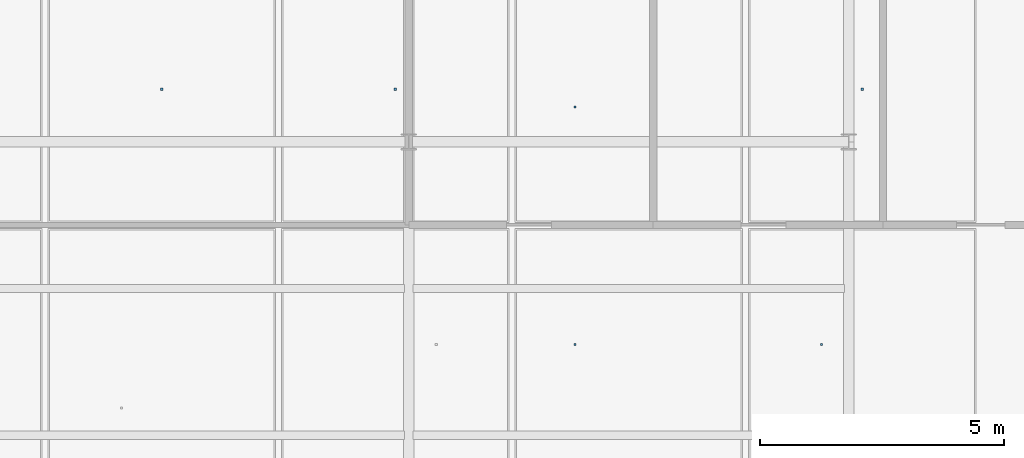
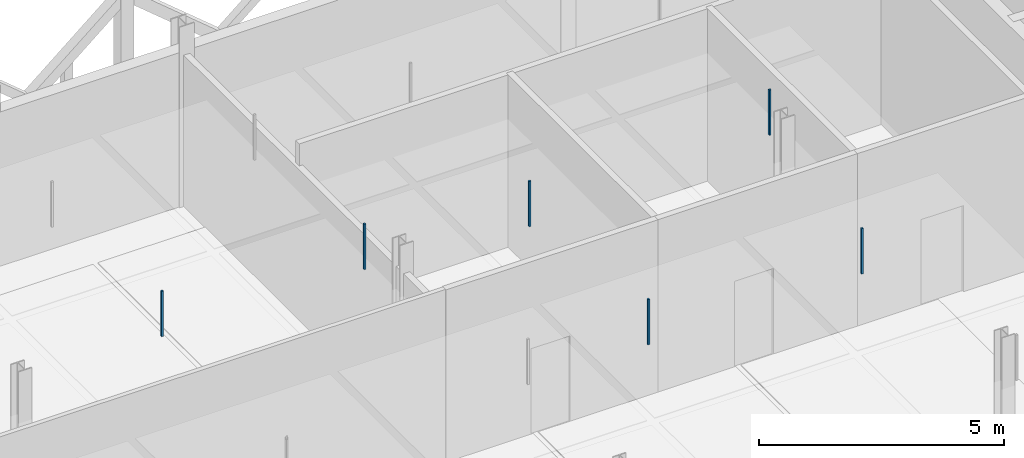
# One storey, part 54 of 66: 6 discrete accessories.
"""IFC4 building model written with IfcOpenShell, lengths in metres."""

from ifc_helpers import new_model, si_unit, direction, frame, origin, origin_2d, place, context, subcontext, project, spatial, rectangle, extrude, material, type_object, element, save


model = new_model("IFC4")

# Units and contexts
model_context = context("Model", 3, precision=1e-05, world=origin(), true_north=direction((0.0, 1.0)))
body_context = subcontext(model_context, "Body", "Model", "MODEL_VIEW")
ifc_project = project(units=[si_unit("LENGTHUNIT", "METRE"), si_unit("AREAUNIT", "SQUARE_METRE"), si_unit("VOLUMEUNIT", "CUBIC_METRE"), si_unit("PLANEANGLEUNIT", "RADIAN"), si_unit("MASSUNIT", "GRAM", prefix="KILO"), si_unit("THERMODYNAMICTEMPERATUREUNIT", "KELVIN"), si_unit("POWERUNIT", "WATT")], contexts=[model_context])

# Site, building, storey
site_placement = place(None, origin())
site = spatial("IfcSite", under=ifc_project, at=site_placement, CompositionType="ELEMENT")
building_placement = place(site_placement, origin())
building = spatial("IfcBuilding", under=site, at=building_placement, Name="Tallowbark Science Centre", CompositionType="ELEMENT")
storey_placement = place(building_placement, frame((0.0, 0.0, 18.89990234375)))
storey = spatial("IfcBuildingStorey", under=building, at=storey_placement, Name="L04", CompositionType="ELEMENT", Elevation=18.89990234375)

# Discrete accessories
ifc_material = material(Name="Galvanised Steel Grade C350L0 (350 MPa)", Category="steel")
discrete_accessory_type = type_object("IfcDiscreteAccessoryType", Name="ACC-CLG-HNG", PredefinedType="BRACKET", material=ifc_material)
for number, where, z_axis, x_axis, name in (
    (1, (71.4443359375, 32.576416015625, 3.20947265625), (0.0, 0.0, 1.0), (1.0, 0.0, 0.0), "Ceiling Hanger Bracket L04-1081"),
    (2, (76.22216796875, 32.576416015625, 3.20947265625), (0.0, 0.0, 1.0), (1.0, 0.0, 0.0), "Ceiling Hanger Bracket L04-1088"),
    (3, (79.900390625, 27.357177734375, 3.20947265625), (0.0, 0.0, 1.0), (1.0, 0.0, 0.0), "Ceiling Hanger Bracket L04-1094"),
    (4, (79.900390625, 32.21435546875, 3.20947265625), (0.0, 0.0, 1.0), (1.0, 0.0, 0.0), "Ceiling Hanger Bracket L04-1095"),
    (5, (84.939453125, 27.357177734375, 3.20947265625), (0.0, 0.0, 1.0), (1.0, 0.0, 0.0), "Ceiling Hanger Bracket L04-1101"),
    (6, (85.77783203125, 32.576416015625, 3.20947265625), (0.0, 0.0, 1.0), (1.0, 0.0, 0.0), "Ceiling Hanger Bracket L04-1102"),
):
    element("IfcDiscreteAccessory", number, at=place(storey_placement, frame(where, z_axis=z_axis, x_axis=x_axis)), inside=storey, type_object=discrete_accessory_type, Name=name, PredefinedType="BRACKET", context=body_context, shape_type="SweptSolid", body=[
        extrude(rectangle(XDim=0.044921875, YDim=0.044921875, at=origin_2d()), origin(), (0.0, 0.0, 1.0), 1.133544921875),
    ])

save(model, "model.ifc")
